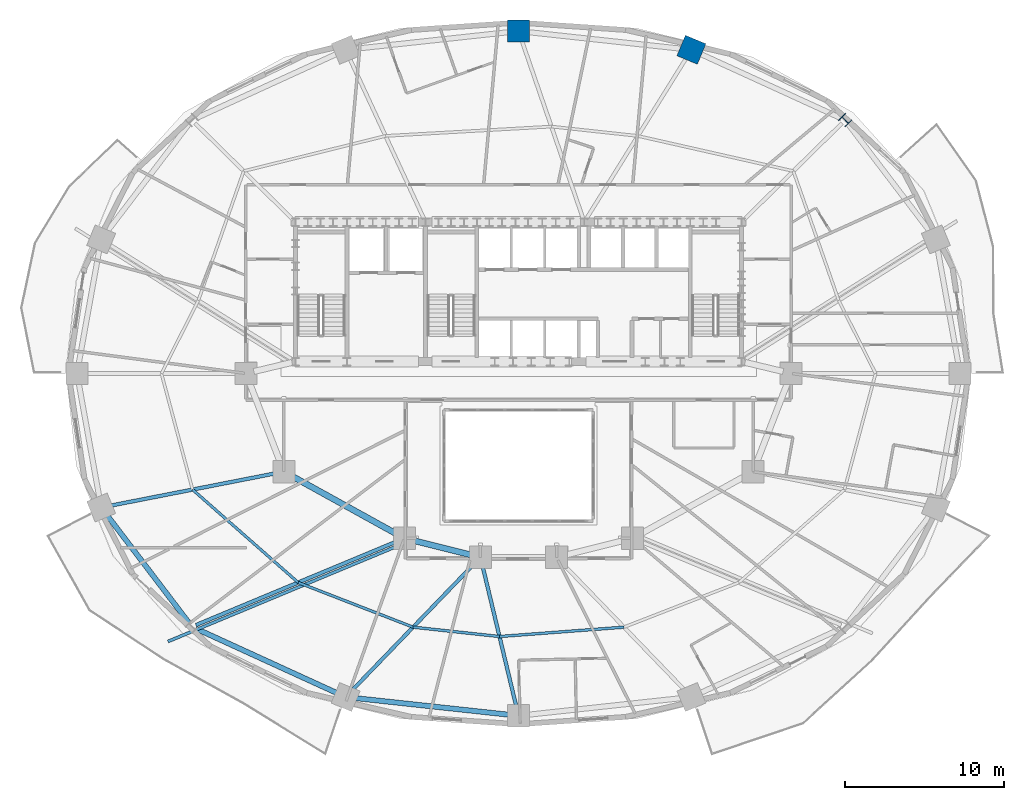
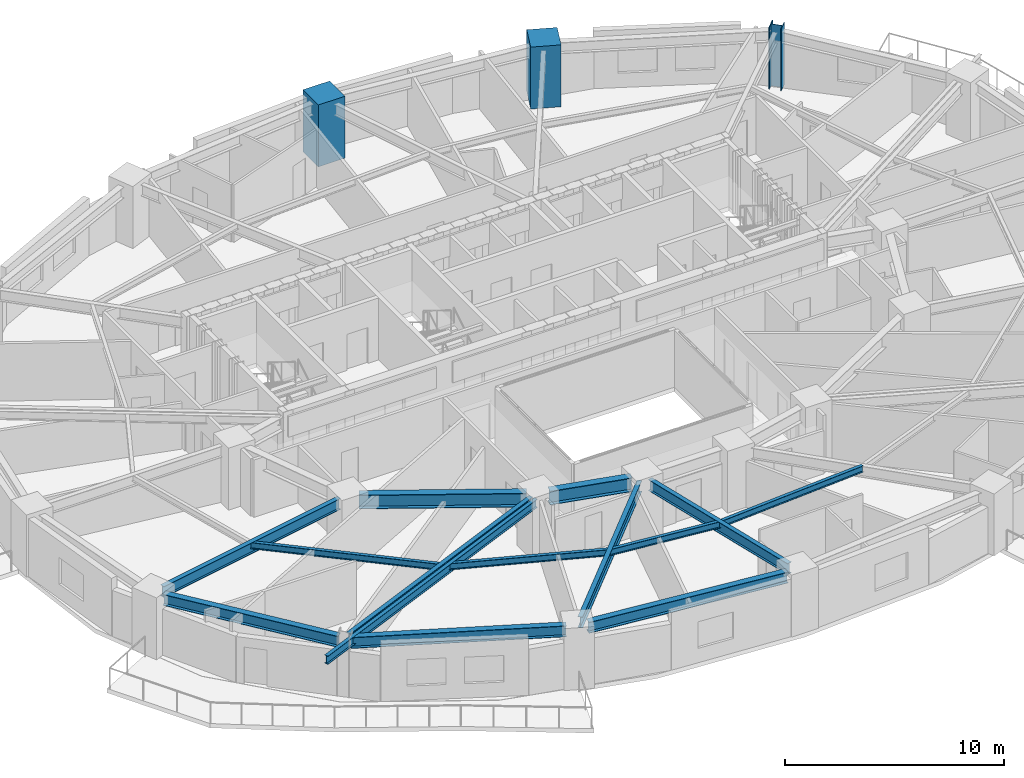
# One storey, part 2 of 16: 14 beams, 3 columns.
"""IFC4 building model written with IfcOpenShell, lengths in metres."""

from ifc_helpers import new_model, si_unit, direction, frame, origin, origin_2d, place, context, subcontext, project, spatial, rectangle, i_section, extrude, material, material_profile, profile_set, type_object, element, save


model = new_model("IFC4")

# Units and contexts
model_context = context("Model", 3, precision=1e-05, world=origin(), true_north=direction((0.0, 1.0)))
body_context = subcontext(model_context, "Body", "Model", "MODEL_VIEW")
ifc_project = project(units=[si_unit("LENGTHUNIT", "METRE"), si_unit("AREAUNIT", "SQUARE_METRE"), si_unit("VOLUMEUNIT", "CUBIC_METRE"), si_unit("PLANEANGLEUNIT", "RADIAN"), si_unit("MASSUNIT", "GRAM", prefix="KILO")], contexts=[model_context])

# Site, building, storey
site_placement = place(None, origin())
site = spatial("IfcSite", under=ifc_project, at=site_placement, CompositionType="ELEMENT")
building_placement = place(site_placement, origin())
building = spatial("IfcBuilding", under=site, at=building_placement, Name="Haldorwick Loom Tower", CompositionType="ELEMENT")
storey_placement = place(building_placement, frame((0.0, 0.0, 88.699951171875)))
storey = spatial("IfcBuildingStorey", under=building, at=storey_placement, Name="L23", CompositionType="ELEMENT", Elevation=88.699951171875)

# Columns
ifc_material_1 = material(Name="Concrete C60 (60 MPa)", Category="concrete")
ifc_material_profile_1 = material_profile(ifc_material_1, rectangle(XDim=1.39990234375, YDim=1.39990234375, at=origin_2d()), Name="RC1400X1400", Category="concrete")
ifc_profile_set_1 = profile_set([ifc_material_profile_1], Name="Concrete C60 (60 MPa)")
column_type_1 = type_object("IfcColumnType", Name="STR-COL-RC1400", PredefinedType="PILASTER", material=ifc_profile_set_1)
for number, where, z_axis, x_axis, name in (
    (1, (46.906494140625, 46.417724609375, 0.0), (0.0, 0.0, 1.0), (0.382683432365, 0.923879532511, 0.0), "L23 Perimeter Pier Column P04"),
    (2, (36.0, 47.598388671875, 0.0), (0.0, 0.0, 1.0), (0.0, 1.0, 0.0), "L23 Perimeter Pier Column P05"),
):
    element("IfcColumn", number, at=place(storey_placement, frame(where, z_axis=z_axis, x_axis=x_axis)), inside=storey, type_object=column_type_1, Name=name, PredefinedType="PILASTER", context=body_context, shape_type="SweptSolid", body=[
        extrude(rectangle(XDim=1.39990234375, YDim=1.39990234375, at=origin_2d()), origin(), (0.0, 0.0, 1.0), 3.449951171875),
    ])
ifc_material_2 = material(Name="Steel CSA G40.21 350WT", Category="steel")
ifc_material_profile_2 = material_profile(ifc_material_2, i_section(OverallWidth=0.60009765625, OverallDepth=0.60009765625, WebThickness=0.02490234375, FlangeThickness=0.035888671875, at=origin_2d()), Name="WWF600X600", Category="steel")
ifc_profile_set_2 = profile_set([ifc_material_profile_2], Name="Steel CSA G40.21 350WT")
column_type_2 = type_object("IfcColumnType", Name="STR-COL-WWF600", PredefinedType="COLUMN", material=ifc_profile_set_2)
column_placement = place(storey_placement, frame((56.606689453125, 41.981689453125, 0.0), z_axis=(0.0, 0.0, 1.0), x_axis=(0.707106781187, 0.707106781187, 0.0)))
element("IfcColumn", 3, at=column_placement, inside=storey, type_object=column_type_2, Name="L23 Perimeter Pier Column P03", PredefinedType="COLUMN", context=body_context, shape_type="SweptSolid", body=[
    extrude(i_section(OverallWidth=0.60009765625, OverallDepth=0.60009765625, WebThickness=0.02490234375, FlangeThickness=0.035888671875, at=origin_2d()), origin(), (0.0, 0.0, 1.0), 3.449951171875),
])

# Beams
ifc_material_3 = material(Name="Steel CSA G40.21 350W", Category="steel")
ifc_material_profile_3 = material_profile(ifc_material_3, i_section(OverallWidth=0.193115234375, OverallDepth=0.466064453125, WebThickness=0.011474609375, FlangeThickness=0.01904296875, at=origin_2d()), Name="W460X97", Category="steel")
ifc_profile_set_3 = profile_set([ifc_material_profile_3], Name="Steel CSA G40.21 350W")
beam_type_1 = type_object("IfcBeamType", Name="STR-BM-BAL460", PredefinedType="BEAM", material=ifc_profile_set_3)
beam_1_placement = place(storey_placement, frame((28.427490234375, 15.1416015625, 2.97705078125), z_axis=(-0.923185561192, -0.38435454935, 0.0), x_axis=(0.38435454935, -0.923185561192, 0.0)))
element("IfcBeam", 4, at=beam_1_placement, inside=storey, type_object=beam_type_1, Name="L23 Continuous Back-Spanned Balcony Beam 2", PredefinedType="BEAM", context=body_context, shape_type="SweptSolid", body=[
    extrude(i_section(OverallWidth=0.193115234375, OverallDepth=0.466064453125, WebThickness=0.011474609375, FlangeThickness=0.01904296875, at=origin_2d()), origin(), (0.0, 0.0, 1.0), 15.752197265625),
])
ifc_material_profile_4 = material_profile(ifc_material_3, i_section(OverallWidth=0.172119140625, OverallDepth=0.35791015625, WebThickness=0.0078125, FlangeThickness=0.01318359375, at=origin_2d()), Name="W360X57", Category="steel")
ifc_profile_set_4 = profile_set([ifc_material_profile_4], Name="Steel CSA G40.21 350W")
beam_type_2 = type_object("IfcBeamType", Name="STR-BM-J360", PredefinedType="JOIST", material=ifc_profile_set_4)
beam_2_placement = place(storey_placement, frame((15.434814453125, 18.67138671875, 3.031005859375), z_axis=(0.750721157729, -0.660619212057, 0.0), x_axis=(0.660619212057, 0.750721157729, 0.0)))
element("IfcBeam", 5, at=beam_2_placement, inside=storey, type_object=beam_type_2, Name="L23 Mid-Bay Secondary Joist 10", PredefinedType="JOIST", context=body_context, shape_type="SweptSolid", body=[
    extrude(i_section(OverallWidth=0.172119140625, OverallDepth=0.35791015625, WebThickness=0.0078125, FlangeThickness=0.01318359375, at=origin_2d()), origin(), (0.0, 0.0, 1.0), 8.8740234375),
])
beam_3_placement = place(storey_placement, frame((22.0966796875, 12.80908203125, 3.031005859375), z_axis=(0.932072983051, -0.362270553959, 0.0), x_axis=(0.362270553959, 0.932072983051, 0.0)))
element("IfcBeam", 6, at=beam_3_placement, inside=storey, type_object=beam_type_2, Name="L23 Mid-Bay Secondary Joist 11", PredefinedType="JOIST", context=body_context, shape_type="SweptSolid", body=[
    extrude(i_section(OverallWidth=0.172119140625, OverallDepth=0.35791015625, WebThickness=0.0078125, FlangeThickness=0.01318359375, at=origin_2d()), origin(), (0.0, 0.0, 1.0), 7.7783203125),
])
beam_4_placement = place(storey_placement, frame((29.3466796875, 9.9912109375, 3.031005859375), z_axis=(0.994191869342, -0.107622148904, 0.0), x_axis=(0.107622148904, 0.994191869342, 0.0)))
element("IfcBeam", 7, at=beam_4_placement, inside=storey, type_object=beam_type_2, Name="L23 Mid-Bay Secondary Joist 12", PredefinedType="JOIST", context=body_context, shape_type="SweptSolid", body=[
    extrude(i_section(OverallWidth=0.172119140625, OverallDepth=0.35791015625, WebThickness=0.0078125, FlangeThickness=0.01318359375, at=origin_2d()), origin(), (0.0, 0.0, 1.0), 5.485107421875),
])
beam_5_placement = place(storey_placement, frame((34.800048828125, 9.40087890625, 3.031005859375), z_axis=(0.99718663731, 0.074958724439, 0.0), x_axis=(-0.074958724439, 0.99718663731, 0.0)))
element("IfcBeam", 8, at=beam_5_placement, inside=storey, type_object=beam_type_2, Name="L23 Mid-Bay Secondary Joist 13", PredefinedType="JOIST", context=body_context, shape_type="SweptSolid", body=[
    extrude(i_section(OverallWidth=0.172119140625, OverallDepth=0.35791015625, WebThickness=0.0078125, FlangeThickness=0.01318359375, at=origin_2d()), origin(), (0.0, 0.0, 1.0), 7.87548828125),
])
ifc_material_profile_5 = material_profile(ifc_material_3, i_section(OverallWidth=0.324951171875, OverallDepth=0.615966796875, WebThickness=0.013916015625, FlangeThickness=0.021484375, at=origin_2d()), Name="W610X174", Category="steel")
ifc_profile_set_5 = profile_set([ifc_material_profile_5], Name="Steel CSA G40.21 350W")
beam_type_3 = type_object("IfcBeamType", Name="STR-BM-SP610", PredefinedType="SPANDREL", material=ifc_profile_set_5)
beam_6_placement = place(storey_placement, frame((9.984130859375, 17.12890625, 2.902099609375), z_axis=(0.605453508047, -0.795880675475, 0.0), x_axis=(0.795880675475, 0.605453508047, 0.0)))
element("IfcBeam", 9, at=beam_6_placement, inside=storey, type_object=beam_type_3, Name="L23 Perimeter Spandrel 10", PredefinedType="SPANDREL", context=body_context, shape_type="SweptSolid", body=[
    extrude(i_section(OverallWidth=0.324951171875, OverallDepth=0.615966796875, WebThickness=0.013916015625, FlangeThickness=0.021484375, at=origin_2d()), origin(), (0.0, 0.0, 1.0), 8.6591796875),
])
beam_7_placement = place(storey_placement, frame((15.643310546875, 9.90380859375, 2.902099609375), z_axis=(0.909423969306, -0.415870225011, 0.0), x_axis=(0.415870225011, 0.909423969306, 0.0)))
element("IfcBeam", 10, at=beam_7_placement, inside=storey, type_object=beam_type_3, Name="L23 Perimeter Spandrel 11", PredefinedType="SPANDREL", context=body_context, shape_type="SweptSolid", body=[
    extrude(i_section(OverallWidth=0.324951171875, OverallDepth=0.615966796875, WebThickness=0.013916015625, FlangeThickness=0.021484375, at=origin_2d()), origin(), (0.0, 0.0, 1.0), 9.871337890625),
])
beam_8_placement = place(storey_placement, frame((25.610595703125, 5.5263671875, 2.902099609375), z_axis=(0.994190135627, -0.107638163409, 0.0), x_axis=(0.107638163409, 0.994190135627, 0.0)))
element("IfcBeam", 11, at=beam_8_placement, inside=storey, type_object=beam_type_3, Name="L23 Perimeter Spandrel 12", PredefinedType="SPANDREL", context=body_context, shape_type="SweptSolid", body=[
    extrude(i_section(OverallWidth=0.324951171875, OverallDepth=0.615966796875, WebThickness=0.013916015625, FlangeThickness=0.021484375, at=origin_2d()), origin(), (0.0, 0.0, 1.0), 9.929931640625),
])
ifc_material_profile_6 = material_profile(ifc_material_3, i_section(OverallWidth=0.22998046875, OverallDepth=0.616943359375, WebThickness=0.01318359375, FlangeThickness=0.022216796875, at=origin_2d()), Name="W610X140", Category="steel")
ifc_profile_set_6 = profile_set([ifc_material_profile_6], Name="Steel CSA G40.21 350W")
beam_type_4 = type_object("IfcBeamType", Name="STR-BM-W610B", PredefinedType="BEAM", material=ifc_profile_set_6)
beam_9_placement = place(storey_placement, frame((20.689697265625, 19.7001953125, 2.901611328125), z_axis=(-0.981369581426, -0.192129499692, 0.0), x_axis=(0.192129499692, -0.981369581426, 0.0)))
element("IfcBeam", 12, at=beam_9_placement, inside=storey, type_object=beam_type_4, Name="L23 Radial Floor Girder 10", PredefinedType="BEAM", context=body_context, shape_type="SweptSolid", body=[
    extrude(i_section(OverallWidth=0.22998046875, OverallDepth=0.616943359375, WebThickness=0.01318359375, FlangeThickness=0.022216796875, at=origin_2d()), origin(), (0.0, 0.0, 1.0), 10.70947265625),
])
beam_10_placement = place(storey_placement, frame((28.31982421875, 15.400146484375, 2.901611328125), z_axis=(-0.923183704764, -0.384359008297, 0.0), x_axis=(0.384359008297, -0.923183704764, 0.0)))
element("IfcBeam", 13, at=beam_10_placement, inside=storey, type_object=beam_type_4, Name="L23 Radial Floor Girder 11", PredefinedType="BEAM", context=body_context, shape_type="SweptSolid", body=[
    extrude(i_section(OverallWidth=0.22998046875, OverallDepth=0.616943359375, WebThickness=0.01318359375, FlangeThickness=0.022216796875, at=origin_2d()), origin(), (0.0, 0.0, 1.0), 13.72705078125),
])
beam_11_placement = place(storey_placement, frame((33.239013671875, 14.02587890625, 2.901611328125), z_axis=(-0.694287071595, -0.719698174387, 0.0), x_axis=(0.719698174387, -0.694287071595, 0.0)))
element("IfcBeam", 14, at=beam_11_placement, inside=storey, type_object=beam_type_4, Name="L23 Radial Floor Girder 12", PredefinedType="BEAM", context=body_context, shape_type="SweptSolid", body=[
    extrude(i_section(OverallWidth=0.22998046875, OverallDepth=0.616943359375, WebThickness=0.01318359375, FlangeThickness=0.022216796875, at=origin_2d()), origin(), (0.0, 0.0, 1.0), 11.212158203125),
])
beam_12_placement = place(storey_placement, frame((33.721435546875, 13.894287109375, 2.901611328125), z_axis=(0.233406920764, -0.972379148964, 0.0), x_axis=(0.972379148964, 0.233406920764, 0.0)))
element("IfcBeam", 15, at=beam_12_placement, inside=storey, type_object=beam_type_4, Name="L23 Radial Floor Girder 13", PredefinedType="BEAM", context=body_context, shape_type="SweptSolid", body=[
    extrude(i_section(OverallWidth=0.22998046875, OverallDepth=0.616943359375, WebThickness=0.01318359375, FlangeThickness=0.022216796875, at=origin_2d()), origin(), (0.0, 0.0, 1.0), 9.242431640625),
])
ifc_material_profile_7 = material_profile(ifc_material_3, i_section(OverallWidth=0.381103515625, OverallDepth=0.77294921875, WebThickness=0.0166015625, FlangeThickness=0.027587890625, at=origin_2d()), Name="W760X257", Category="steel")
ifc_profile_set_7 = profile_set([ifc_material_profile_7], Name="Steel CSA G40.21 350W")
beam_type_5 = type_object("IfcBeamType", Name="STR-BM-W760", PredefinedType="BEAM", material=ifc_profile_set_7)
beam_13_placement = place(storey_placement, frame((33.095458984375, 14.526123046875, 2.823486328125), z_axis=(-0.970142500145, 0.242535625036, 0.0), x_axis=(-0.242535625036, -0.970142500145, 0.0)))
element("IfcBeam", 16, at=beam_13_placement, inside=storey, type_object=beam_type_5, Name="L23 Inner Ring Girder 6", PredefinedType="BEAM", context=body_context, shape_type="SweptSolid", body=[
    extrude(i_section(OverallWidth=0.381103515625, OverallDepth=0.77294921875, WebThickness=0.0166015625, FlangeThickness=0.027587890625, at=origin_2d()), origin(), (0.0, 0.0, 1.0), 3.90771484375),
])
beam_14_placement = place(storey_placement, frame((28.344970703125, 15.8515625, 2.823486328125), z_axis=(-0.875244382146, 0.483680960471, 0.0), x_axis=(-0.483680960471, -0.875244382146, 0.0)))
element("IfcBeam", 17, at=beam_14_placement, inside=storey, type_object=beam_type_5, Name="L23 Inner Ring Girder 7", PredefinedType="BEAM", context=body_context, shape_type="SweptSolid", body=[
    extrude(i_section(OverallWidth=0.381103515625, OverallDepth=0.77294921875, WebThickness=0.0166015625, FlangeThickness=0.027587890625, at=origin_2d()), origin(), (0.0, 0.0, 1.0), 7.6435546875),
])

save(model, "model.ifc")
